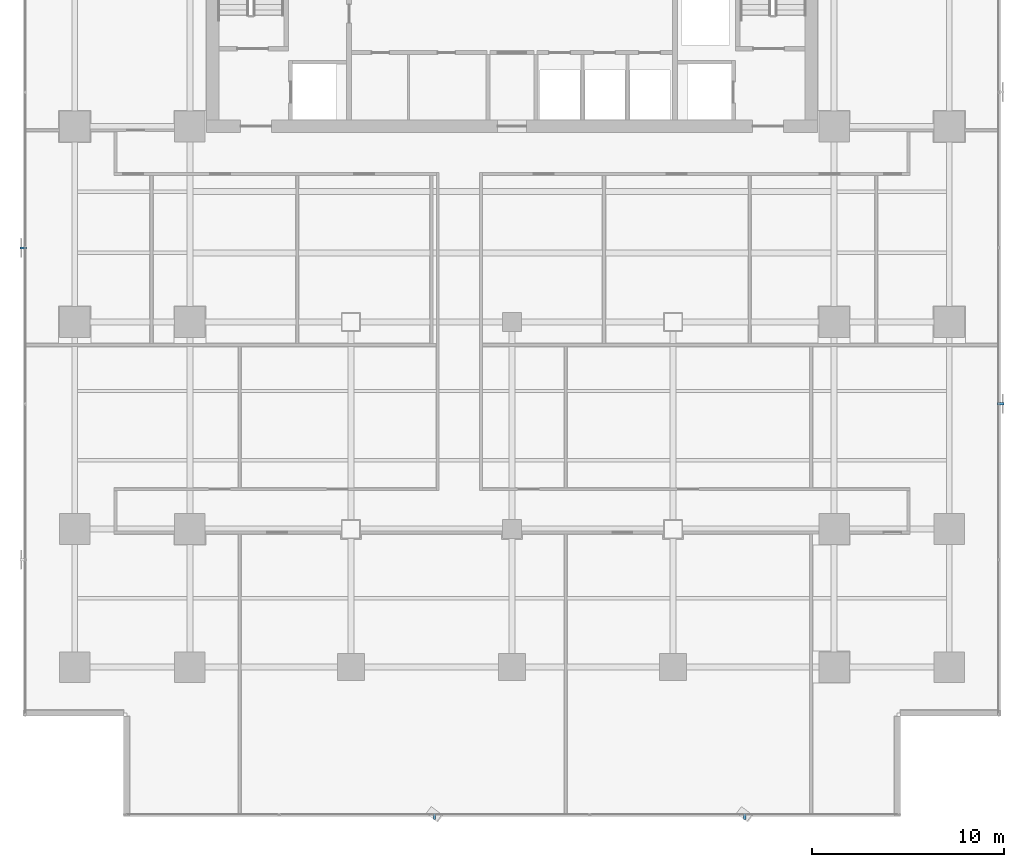
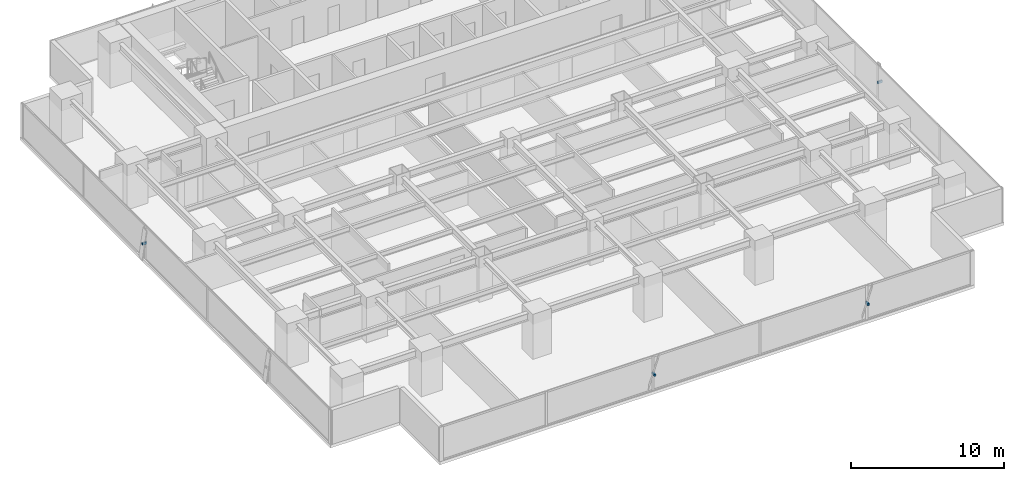
# One storey, part 31 of 37: 4 discrete accessories.
"""IFC4 building model written with IfcOpenShell, lengths in metres."""

from ifc_helpers import new_model, si_unit, direction, frame, origin, origin_2d, place, context, subcontext, project, spatial, rectangle, extrude, source, transform, mapped, material, material_profile, profile_set, type_object, element, save


model = new_model("IFC4")

# Units and contexts
model_context = context("Model", 3, precision=1e-05, world=origin(), true_north=direction((0.0, 1.0)))
body_context = subcontext(model_context, "Body", "Model", "MODEL_VIEW")
ifc_project = project(units=[si_unit("LENGTHUNIT", "METRE"), si_unit("AREAUNIT", "SQUARE_METRE"), si_unit("VOLUMEUNIT", "CUBIC_METRE"), si_unit("PLANEANGLEUNIT", "RADIAN"), si_unit("MASSUNIT", "GRAM", prefix="KILO")], contexts=[model_context])

# Site, building, storey
site_placement = place(None, origin())
site = spatial("IfcSite", under=ifc_project, at=site_placement, CompositionType="ELEMENT")
building_placement = place(site_placement, origin())
building = spatial("IfcBuilding", under=site, at=building_placement, Name="Sumidabori Civic Tower", CompositionType="ELEMENT")
storey_placement = place(building_placement, frame((0.0, 0.0, 95.60009765625)))
storey = spatial("IfcBuildingStorey", under=building, at=storey_placement, Name="L24", CompositionType="ELEMENT", Elevation=95.60009765625)

# Discrete accessories
ifc_material = material(Name="Stainless Steel Hairline Finish", Category="steel")
ifc_material_profile = material_profile(ifc_material, rectangle(XDim=0.1201171875, YDim=0.179931640625, at=origin_2d()), Name="STEEL BRACKET 180x120")
ifc_profile_set = profile_set([ifc_material_profile], Name="Stainless Steel Hairline Finish")
discrete_accessory_type = type_object("IfcDiscreteAccessoryType", Name="AC-BRK-180", PredefinedType="BRACKET", material=ifc_profile_set)
shared_shape_1 = source(origin(), body_context, "Body", "SweptSolid", [
    extrude(rectangle(XDim=0.1201171875, YDim=0.179931640625, at=origin_2d()), origin(), (0.0, 0.0, 1.0), 0.329833984375),
])
for number, where, z_axis, x_axis, name in (
    (1, (25.330078125, -4.263916015625, 1.35986328125), (1.0, 0.0, 0.0), (0.0, 1.0, 0.0), "Bronze Fin Fixing Bracket L24-02"),
    (2, (-25.330078125, 3.864013671875, 1.35986328125), (-1.0, 0.0, 0.0), (0.0, -1.0, 0.0), "Bronze Fin Fixing Bracket L24-02"),
):
    element("IfcDiscreteAccessory", number, at=place(storey_placement, frame(where, z_axis=z_axis, x_axis=x_axis)), inside=storey, type_object=discrete_accessory_type, Name=name, PredefinedType="BRACKET", context=body_context, shape_type="MappedRepresentation", body=[
        mapped(shared_shape_1, transform((0.0, 0.0, 0.0), x_axis=(1.0, 0.0, 0.0), y_axis=(0.0, 1.0, 0.0), z_axis=(0.0, 0.0, 1.0), scale=1.0)),
    ])
shared_shape_2 = source(origin(), body_context, "Body", "SweptSolid", [
    extrude(rectangle(XDim=0.1201171875, YDim=0.179931640625, at=origin_2d()), origin(), (0.0, 0.0, 1.0), 0.330078125),
])
for number, where, z_axis, x_axis, name in (
    (3, (-4.0439453125, -25.6298828125, 1.35986328125), (0.0, -1.0, 0.0), (1.0, 0.0, 0.0), "Bronze Fin Fixing Bracket L24-02"),
    (4, (12.132080078125, -25.6298828125, 1.35986328125), (0.0, -1.0, 0.0), (1.0, 0.0, 0.0), "Bronze Fin Fixing Bracket L24-04"),
):
    element("IfcDiscreteAccessory", number, at=place(storey_placement, frame(where, z_axis=z_axis, x_axis=x_axis)), inside=storey, type_object=discrete_accessory_type, Name=name, PredefinedType="BRACKET", context=body_context, shape_type="MappedRepresentation", body=[
        mapped(shared_shape_2, transform((0.0, 0.0, 0.0), x_axis=(1.0, 0.0, 0.0), y_axis=(0.0, 1.0, 0.0), z_axis=(0.0, 0.0, 1.0), scale=1.0)),
    ])

save(model, "model.ifc")
